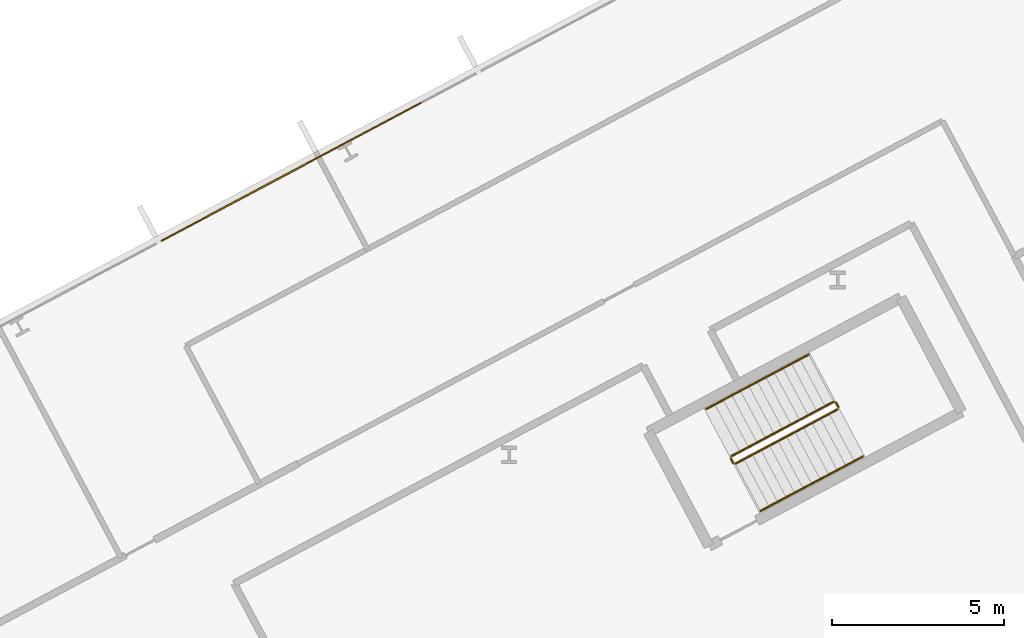
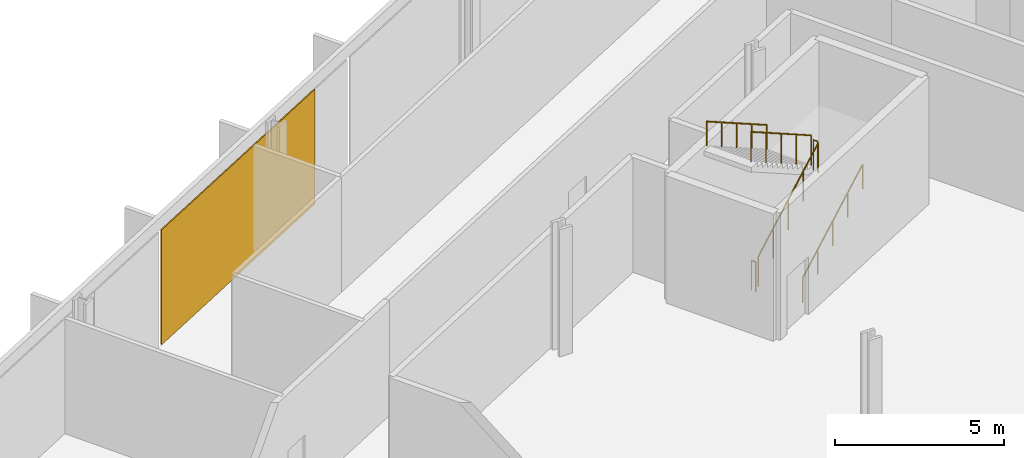
# One storey, part 30 of 31: 6 railings, 1 covering, 1 element without a shape of its own.
"""IFC4 building model written with IfcOpenShell, lengths in metres."""

from ifc_helpers import new_model, si_unit, direction, frame, origin, origin_2d, place, context, subcontext, project, spatial, polyline, rectangle, outline, extrude, material, layer, layer_set, type_object, element, aggregate, save


model = new_model("IFC4")

# Units and contexts
model_context = context("Model", 3, precision=1e-05, world=origin(), true_north=direction((0.0, 1.0)))
body_context = subcontext(model_context, "Body", "Model", "MODEL_VIEW")
ifc_project = project(units=[si_unit("LENGTHUNIT", "METRE"), si_unit("AREAUNIT", "SQUARE_METRE"), si_unit("VOLUMEUNIT", "CUBIC_METRE"), si_unit("PLANEANGLEUNIT", "RADIAN"), si_unit("MASSUNIT", "GRAM", prefix="KILO")], contexts=[model_context])

# Site, building, storey
site_placement = place(None, origin())
site = spatial("IfcSite", under=ifc_project, at=site_placement, CompositionType="ELEMENT")
building_placement = place(site_placement, origin())
building = spatial("IfcBuilding", under=site, at=building_placement, Name="Cormorant Relay Tower", CompositionType="ELEMENT")
storey_placement = place(building_placement, frame((0.0, 0.0, 107.60009765625)))
storey = spatial("IfcBuildingStorey", under=building, at=storey_placement, Name="L21", CompositionType="ELEMENT", Elevation=107.60009765625)

# Curtain wall, covering
ifc_material_1 = material(Name="Aluminium 6063-T6 anodised bronze", Category="aluminium")
ifc_layer_1 = layer(ifc_material_1, 0.199951171875)
ifc_layer_set_1 = layer_set([ifc_layer_1], Name="CW1 unitised bronze curtain wall with vertical fins")
curtain_wall_type = type_object("IfcCurtainWallType", Name="CW1 unitised bronze curtain wall with vertical fins", PredefinedType="NOTDEFINED", material=ifc_layer_set_1)
curtain_wall_placement = place(storey_placement, origin())
curtain_wall = element("IfcCurtainWall", 1, at=curtain_wall_placement, inside=storey, type_object=curtain_wall_type, Name="CW1 curtain wall 6", PredefinedType="NOTDEFINED")
ifc_material_2 = material(Name="Pale bronze anodised aluminium insulated panel", Category="aluminium")
ifc_layer_2 = layer(ifc_material_2, 0.0400390625)
ifc_layer_set_2 = layer_set([ifc_layer_2], Name="CW1 pale bronze insulated panel 40")
covering_type = type_object("IfcCoveringType", Name="CW1 pale bronze insulated panel 40", PredefinedType="CLADDING", material=ifc_layer_set_2)
covering_placement = place(storey_placement, frame((31.69140625, 40.6572265625, 0.0), z_axis=(0.0, 0.0, 1.0), x_axis=(-0.882947592859, -0.469471562786, 0.0)))
covering = element("IfcCovering", 2, at=covering_placement, type_object=covering_type, Name="CW1 panel S04", PredefinedType="CLADDING", context=body_context, shape_type="SweptSolid", body=[
    extrude(rectangle(XDim=8.565185546875, YDim=0.0400390625, at=origin_2d()), origin(), (0.0, 0.0, 1.0), 4.14990234375),
])
aggregate(curtain_wall, [covering])

# Railings
ifc_material_3 = material(Name="Steel ASTM A572 Grade 50 (Fy 345 MPa)", Category="steel")
railing_type_1 = type_object("IfcRailingType", Name="Stair guard 1100", PredefinedType="GUARDRAIL", material=ifc_material_3)
railing_1_placement = place(storey_placement, frame((44.583740234375, 32.186279296875, 0.1767578125)))
element("IfcRailing", 3, at=railing_1_placement, inside=storey, type_object=railing_type_1, Name="L21 RB1 stair guard 1", PredefinedType="GUARDRAIL", context=body_context, shape_type="SweptSolid", body=[
    extrude(outline(polyline([(0.022216796875, 0.00927734375), (0.00927734375, 0.022216796875), (-0.00927734375, 0.022216796875), (-0.022216796875, 0.00927734375), (-0.022216796875, -0.00927734375), (-0.00927734375, -0.022216796875), (0.00927734375, -0.022216796875), (0.022216796875, -0.00927734375), (0.022216796875, 0.00927734375)])), frame((0.0, 0.0, 1.076171875), z_axis=(0.746422470992, 0.396920836698, 0.534141689248), x_axis=(-0.469509342547, 0.882927503967, 0.0)), (0.0, 0.0, 1.0), 3.974609375),
    extrude(outline(polyline([(0.019287109375, 0.008056640625), (0.008056640625, 0.019287109375), (-0.008056640625, 0.019287109375), (-0.019287109375, 0.008056640625), (-0.019287109375, -0.008056640625), (-0.008056640625, -0.019287109375), (0.008056640625, -0.019287109375), (0.019287109375, -0.008056640625), (0.019287109375, 0.008056640625)])), origin(), (0.0, 0.0, 1.0), 1.052001953125),
    extrude(outline(polyline([(0.019287109375, 0.008056640625), (0.008056640625, 0.019287109375), (-0.008056640625, 0.019287109375), (-0.019287109375, 0.008056640625), (-0.019287109375, -0.008056640625), (-0.008056640625, -0.019287109375), (0.008056640625, -0.019287109375), (0.019287109375, -0.008056640625), (0.019287109375, 0.008056640625)])), frame((0.74169921875, 0.39453125, 0.53076171875)), (0.0, 0.0, 1.0), 1.052001953125),
    extrude(outline(polyline([(0.019287109375, 0.008056640625), (0.008056640625, 0.019287109375), (-0.008056640625, 0.019287109375), (-0.019287109375, 0.008056640625), (-0.019287109375, -0.008056640625), (-0.008056640625, -0.019287109375), (0.008056640625, -0.019287109375), (0.019287109375, -0.008056640625), (0.019287109375, 0.008056640625)])), frame((1.4833984375, 0.788818359375, 1.0615234375)), (0.0, 0.0, 1.0), 1.052001953125),
    extrude(outline(polyline([(0.019287109375, 0.008056640625), (0.008056640625, 0.019287109375), (-0.008056640625, 0.019287109375), (-0.019287109375, 0.008056640625), (-0.019287109375, -0.008056640625), (-0.008056640625, -0.019287109375), (0.008056640625, -0.019287109375), (0.019287109375, -0.008056640625), (0.019287109375, 0.008056640625)])), frame((2.22509765625, 1.18310546875, 1.59228515625)), (0.0, 0.0, 1.0), 1.052001953125),
    extrude(outline(polyline([(0.019287109375, 0.008056640625), (0.008056640625, 0.019287109375), (-0.008056640625, 0.019287109375), (-0.019287109375, 0.008056640625), (-0.019287109375, -0.008056640625), (-0.008056640625, -0.019287109375), (0.008056640625, -0.019287109375), (0.019287109375, -0.008056640625), (0.019287109375, 0.008056640625)])), frame((2.966796875, 1.57763671875, 2.123046875)), (0.0, 0.0, 1.0), 1.052001953125),
])
railing_2_placement = place(storey_placement, frame((47.571044921875, 33.831298828125, 2.2998046875)))
element("IfcRailing", 4, at=railing_2_placement, inside=storey, type_object=railing_type_1, Name="L21 RB1 stair guard 2", PredefinedType="GUARDRAIL", context=body_context, shape_type="SweptSolid", body=[
    extrude(outline(polyline([(0.022216796875, 0.00927734375), (0.00927734375, 0.022216796875), (-0.00927734375, 0.022216796875), (-0.022216796875, 0.00927734375), (-0.022216796875, -0.00927734375), (-0.00927734375, -0.022216796875), (0.00927734375, -0.022216796875), (0.022216796875, -0.00927734375), (0.022216796875, 0.00927734375)])), frame((0.0, 0.0, 1.076171875), z_axis=(-0.46856034887, 0.8834314911, 0.0), x_axis=(-0.8834314911, -0.46856034887, 0.0)), (0.0, 0.0, 1.0), 0.150146484375),
    extrude(outline(polyline([(0.019287109375, 0.008056640625), (0.008056640625, 0.019287109375), (-0.008056640625, 0.019287109375), (-0.019287109375, 0.008056640625), (-0.019287109375, -0.008056640625), (-0.008056640625, -0.019287109375), (0.008056640625, -0.019287109375), (0.019287109375, -0.008056640625), (0.019287109375, 0.008056640625)])), origin(), (0.0, 0.0, 1.0), 1.052001953125),
    extrude(outline(polyline([(0.019287109375, 0.008056640625), (0.008056640625, 0.019287109375), (-0.008056640625, 0.019287109375), (-0.019287109375, 0.008056640625), (-0.019287109375, -0.008056640625), (-0.008056640625, -0.019287109375), (0.008056640625, -0.019287109375), (0.019287109375, -0.008056640625), (0.019287109375, 0.008056640625)])), frame((-0.0703125, 0.132568359375, 0.0)), (0.0, 0.0, 1.0), 1.052001953125),
])
railing_3_placement = place(storey_placement, frame((47.43310546875, 33.984619140625, 2.476806640625)))
element("IfcRailing", 5, at=railing_3_placement, inside=storey, type_object=railing_type_1, Name="L21 RB1 stair guard 3", PredefinedType="GUARDRAIL", context=body_context, shape_type="SweptSolid", body=[
    extrude(outline(polyline([(0.022216796875, 0.00927734375), (0.00927734375, 0.022216796875), (-0.00927734375, 0.022216796875), (-0.022216796875, 0.00927734375), (-0.022216796875, -0.00927734375), (-0.00927734375, -0.022216796875), (0.00927734375, -0.022216796875), (0.022216796875, -0.00927734375), (0.022216796875, 0.00927734375)])), frame((0.0, 0.0, 1.076171875), z_axis=(-0.746440668329, -0.396869088057, 0.534154711306), x_axis=(0.46945269911, -0.882957622595, 0.0)), (0.0, 0.0, 1.0), 3.974609375),
    extrude(outline(polyline([(0.019287109375, 0.008056640625), (0.008056640625, 0.019287109375), (-0.008056640625, 0.019287109375), (-0.019287109375, 0.008056640625), (-0.019287109375, -0.008056640625), (-0.008056640625, -0.019287109375), (0.008056640625, -0.019287109375), (0.019287109375, -0.008056640625), (0.019287109375, 0.008056640625)])), origin(), (0.0, 0.0, 1.0), 1.052001953125),
    extrude(outline(polyline([(0.019287109375, 0.008056640625), (0.008056640625, 0.019287109375), (-0.008056640625, 0.019287109375), (-0.019287109375, 0.008056640625), (-0.019287109375, -0.008056640625), (-0.008056640625, -0.019287109375), (0.008056640625, -0.019287109375), (0.019287109375, -0.008056640625), (0.019287109375, 0.008056640625)])), frame((-0.74169921875, -0.394287109375, 0.53076171875)), (0.0, 0.0, 1.0), 1.052001953125),
    extrude(outline(polyline([(0.019287109375, 0.008056640625), (0.008056640625, 0.019287109375), (-0.008056640625, 0.019287109375), (-0.019287109375, 0.008056640625), (-0.019287109375, -0.008056640625), (-0.008056640625, -0.019287109375), (0.008056640625, -0.019287109375), (0.019287109375, -0.008056640625), (0.019287109375, 0.008056640625)])), frame((-1.4833984375, -0.78857421875, 1.0615234375)), (0.0, 0.0, 1.0), 1.052001953125),
    extrude(outline(polyline([(0.019287109375, 0.008056640625), (0.008056640625, 0.019287109375), (-0.008056640625, 0.019287109375), (-0.019287109375, 0.008056640625), (-0.019287109375, -0.008056640625), (-0.008056640625, -0.019287109375), (0.008056640625, -0.019287109375), (0.019287109375, -0.008056640625), (0.019287109375, 0.008056640625)])), frame((-2.22509765625, -1.18310546875, 1.59228515625)), (0.0, 0.0, 1.0), 1.052001953125),
    extrude(outline(polyline([(0.019287109375, 0.008056640625), (0.008056640625, 0.019287109375), (-0.008056640625, 0.019287109375), (-0.019287109375, 0.008056640625), (-0.019287109375, -0.008056640625), (-0.008056640625, -0.019287109375), (0.008056640625, -0.019287109375), (0.019287109375, -0.008056640625), (0.019287109375, 0.008056640625)])), frame((-2.966796875, -1.577392578125, 2.123046875)), (0.0, 0.0, 1.0), 1.052001953125),
])
railing_4_placement = place(storey_placement, frame((44.51611328125, 32.20703125, 0.0)))
element("IfcRailing", 6, at=railing_4_placement, inside=storey, type_object=railing_type_1, Name="L21 RB1 stair guard 4", PredefinedType="GUARDRAIL", context=body_context, shape_type="SweptSolid", body=[
    extrude(outline(polyline([(0.022216796875, 0.00927734375), (0.00927734375, 0.022216796875), (-0.00927734375, 0.022216796875), (-0.022216796875, 0.00927734375), (-0.022216796875, -0.00927734375), (-0.00927734375, -0.022216796875), (0.00927734375, -0.022216796875), (0.022216796875, -0.00927734375), (0.022216796875, 0.00927734375)])), frame((0.0, 0.0, 1.076171875), z_axis=(-0.46856034887, 0.8834314911, 0.0), x_axis=(-0.8834314911, -0.46856034887, 0.0)), (0.0, 0.0, 1.0), 0.150146484375),
    extrude(outline(polyline([(0.019287109375, 0.008056640625), (0.008056640625, 0.019287109375), (-0.008056640625, 0.019287109375), (-0.019287109375, 0.008056640625), (-0.019287109375, -0.008056640625), (-0.008056640625, -0.019287109375), (0.008056640625, -0.019287109375), (0.019287109375, -0.008056640625), (0.019287109375, 0.008056640625)])), origin(), (0.0, 0.0, 1.0), 1.052001953125),
    extrude(outline(polyline([(0.019287109375, 0.008056640625), (0.008056640625, 0.019287109375), (-0.008056640625, 0.019287109375), (-0.019287109375, 0.008056640625), (-0.019287109375, -0.008056640625), (-0.008056640625, -0.019287109375), (0.008056640625, -0.019287109375), (0.019287109375, -0.008056640625), (0.019287109375, 0.008056640625)])), frame((-0.0703125, 0.132568359375, 0.0)), (0.0, 0.0, 1.0), 1.052001953125),
])
ifc_material_4 = material(Name="Steel ASTM A572 Grade 50 (Fy 345 MPa)", Category="steel")
railing_type_2 = type_object("IfcRailingType", Name="Stair handrail 900", PredefinedType="HANDRAIL", material=ifc_material_4)
railing_5_placement = place(storey_placement, frame((45.3115234375, 30.81787109375, 0.1767578125)))
element("IfcRailing", 7, at=railing_5_placement, inside=storey, type_object=railing_type_2, Name="L21 RB1 stair handrail 1", PredefinedType="HANDRAIL", context=body_context, shape_type="SweptSolid", body=[
    extrude(outline(polyline([(0.022216796875, 0.00927734375), (0.00927734375, 0.022216796875), (-0.00927734375, 0.022216796875), (-0.022216796875, 0.00927734375), (-0.022216796875, -0.00927734375), (-0.00927734375, -0.022216796875), (0.00927734375, -0.022216796875), (0.022216796875, -0.00927734375), (0.022216796875, 0.00927734375)])), frame((0.0, 0.0, 0.8759765625), z_axis=(0.746413465702, 0.396887285154, 0.534179203172), x_axis=(-0.469482818608, 0.88294160794, 0.0)), (0.0, 0.0, 1.0), 3.974365234375),
    extrude(outline(polyline([(0.019287109375, 0.008056640625), (0.008056640625, 0.019287109375), (-0.008056640625, 0.019287109375), (-0.019287109375, 0.008056640625), (-0.019287109375, -0.008056640625), (-0.008056640625, -0.019287109375), (0.008056640625, -0.019287109375), (0.019287109375, -0.008056640625), (0.019287109375, 0.008056640625)])), origin(), (0.0, 0.0, 1.0), 0.851806640625),
    extrude(outline(polyline([(0.019287109375, 0.008056640625), (0.008056640625, 0.019287109375), (-0.008056640625, 0.019287109375), (-0.019287109375, 0.008056640625), (-0.019287109375, -0.008056640625), (-0.008056640625, -0.019287109375), (0.008056640625, -0.019287109375), (0.019287109375, -0.008056640625), (0.019287109375, 0.008056640625)])), frame((0.74169921875, 0.394287109375, 0.53076171875)), (0.0, 0.0, 1.0), 0.851806640625),
    extrude(outline(polyline([(0.019287109375, 0.008056640625), (0.008056640625, 0.019287109375), (-0.008056640625, 0.019287109375), (-0.019287109375, 0.008056640625), (-0.019287109375, -0.008056640625), (-0.008056640625, -0.019287109375), (0.008056640625, -0.019287109375), (0.019287109375, -0.008056640625), (0.019287109375, 0.008056640625)])), frame((1.4833984375, 0.78857421875, 1.0615234375)), (0.0, 0.0, 1.0), 0.851806640625),
    extrude(outline(polyline([(0.019287109375, 0.008056640625), (0.008056640625, 0.019287109375), (-0.008056640625, 0.019287109375), (-0.019287109375, 0.008056640625), (-0.019287109375, -0.008056640625), (-0.008056640625, -0.019287109375), (0.008056640625, -0.019287109375), (0.019287109375, -0.008056640625), (0.019287109375, 0.008056640625)])), frame((2.224853515625, 1.18310546875, 1.59228515625)), (0.0, 0.0, 1.0), 0.851806640625),
    extrude(outline(polyline([(0.019287109375, 0.008056640625), (0.008056640625, 0.019287109375), (-0.008056640625, 0.019287109375), (-0.019287109375, 0.008056640625), (-0.019287109375, -0.008056640625), (-0.008056640625, -0.019287109375), (0.008056640625, -0.019287109375), (0.019287109375, -0.008056640625), (0.019287109375, 0.008056640625)])), frame((2.966552734375, 1.577392578125, 2.123046875)), (0.0, 0.0, 1.0), 0.851806640625),
])
railing_6_placement = place(storey_placement, frame((46.705322265625, 35.35302734375, 2.476806640625)))
element("IfcRailing", 8, at=railing_6_placement, inside=storey, type_object=railing_type_2, Name="L21 RB1 stair handrail 2", PredefinedType="HANDRAIL", context=body_context, shape_type="SweptSolid", body=[
    extrude(outline(polyline([(0.022216796875, 0.00927734375), (0.00927734375, 0.022216796875), (-0.00927734375, 0.022216796875), (-0.022216796875, 0.00927734375), (-0.022216796875, -0.00927734375), (-0.00927734375, -0.022216796875), (0.00927734375, -0.022216796875), (0.022216796875, -0.00927734375), (0.022216796875, 0.00927734375)])), frame((0.0, 0.0, 0.8759765625), z_axis=(-0.746413465702, -0.396887285154, 0.534179203172), x_axis=(0.469482818608, -0.88294160794, 0.0)), (0.0, 0.0, 1.0), 3.974365234375),
    extrude(outline(polyline([(0.019287109375, 0.008056640625), (0.008056640625, 0.019287109375), (-0.008056640625, 0.019287109375), (-0.019287109375, 0.008056640625), (-0.019287109375, -0.008056640625), (-0.008056640625, -0.019287109375), (0.008056640625, -0.019287109375), (0.019287109375, -0.008056640625), (0.019287109375, 0.008056640625)])), origin(), (0.0, 0.0, 1.0), 0.851806640625),
    extrude(outline(polyline([(0.019287109375, 0.008056640625), (0.008056640625, 0.019287109375), (-0.008056640625, 0.019287109375), (-0.019287109375, 0.008056640625), (-0.019287109375, -0.008056640625), (-0.008056640625, -0.019287109375), (0.008056640625, -0.019287109375), (0.019287109375, -0.008056640625), (0.019287109375, 0.008056640625)])), frame((-0.74169921875, -0.394287109375, 0.53076171875)), (0.0, 0.0, 1.0), 0.851806640625),
    extrude(outline(polyline([(0.019287109375, 0.008056640625), (0.008056640625, 0.019287109375), (-0.008056640625, 0.019287109375), (-0.019287109375, 0.008056640625), (-0.019287109375, -0.008056640625), (-0.008056640625, -0.019287109375), (0.008056640625, -0.019287109375), (0.019287109375, -0.008056640625), (0.019287109375, 0.008056640625)])), frame((-1.4833984375, -0.78857421875, 1.0615234375)), (0.0, 0.0, 1.0), 0.851806640625),
    extrude(outline(polyline([(0.019287109375, 0.008056640625), (0.008056640625, 0.019287109375), (-0.008056640625, 0.019287109375), (-0.019287109375, 0.008056640625), (-0.019287109375, -0.008056640625), (-0.008056640625, -0.019287109375), (0.008056640625, -0.019287109375), (0.019287109375, -0.008056640625), (0.019287109375, 0.008056640625)])), frame((-2.224853515625, -1.18310546875, 1.59228515625)), (0.0, 0.0, 1.0), 0.851806640625),
    extrude(outline(polyline([(0.019287109375, 0.008056640625), (0.008056640625, 0.019287109375), (-0.008056640625, 0.019287109375), (-0.019287109375, 0.008056640625), (-0.019287109375, -0.008056640625), (-0.008056640625, -0.019287109375), (0.008056640625, -0.019287109375), (0.019287109375, -0.008056640625), (0.019287109375, 0.008056640625)])), frame((-2.966552734375, -1.577392578125, 2.123046875)), (0.0, 0.0, 1.0), 0.851806640625),
])

save(model, "model.ifc")
